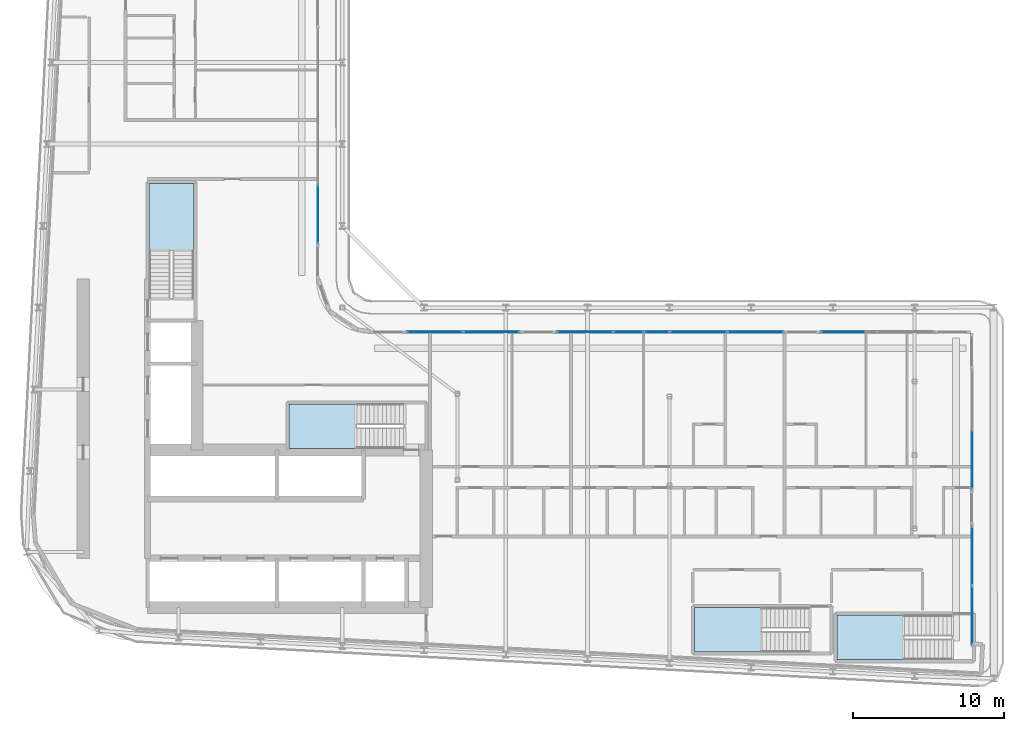
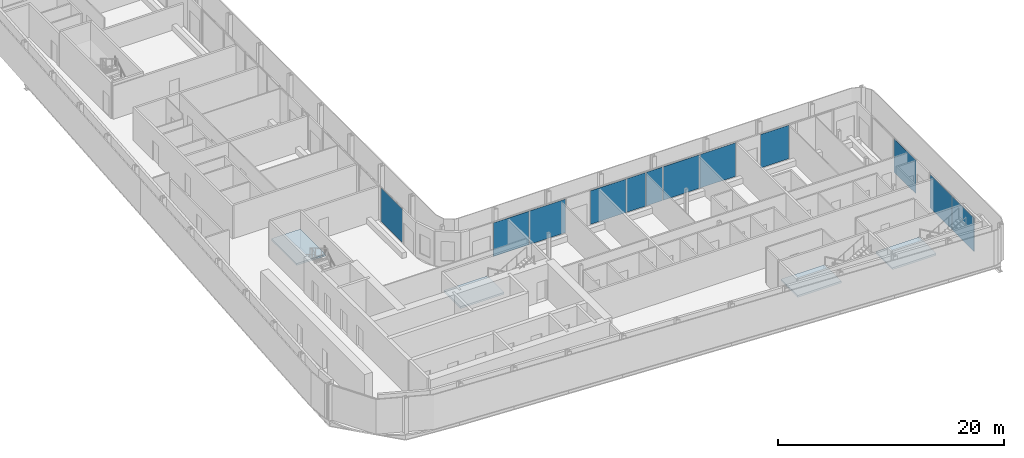
# One storey, part 9 of 26: 12 plates, 4 slabs, 11 elements without a shape of their own.
"""IFC4 building model written with IfcOpenShell, lengths in metres."""

from ifc_helpers import new_model, si_unit, direction, frame, origin, origin_2d, place, context, subcontext, project, spatial, polyline, rectangle, outline, extrude, material, layer, layer_set, type_object, element, aggregate, save


model = new_model("IFC4")

# Units and contexts
model_context = context("Model", 3, precision=1e-05, world=origin(), true_north=direction((0.0, 1.0)))
body_context = subcontext(model_context, "Body", "Model", "MODEL_VIEW")
ifc_project = project(units=[si_unit("LENGTHUNIT", "METRE"), si_unit("AREAUNIT", "SQUARE_METRE"), si_unit("VOLUMEUNIT", "CUBIC_METRE"), si_unit("PLANEANGLEUNIT", "RADIAN"), si_unit("MASSUNIT", "GRAM", prefix="KILO")], contexts=[model_context])

# Site, building, storey
site_placement = place(None, origin())
site = spatial("IfcSite", under=ifc_project, at=site_placement, CompositionType="ELEMENT")
building_placement = place(site_placement, origin())
building = spatial("IfcBuilding", under=site, at=building_placement, Name="Kheshtan School and Residences Tower", CompositionType="ELEMENT")
storey_placement = place(building_placement, frame((0.0, 0.0, 156.5)))
storey = spatial("IfcBuildingStorey", under=building, at=storey_placement, Name="L36", CompositionType="ELEMENT", Elevation=156.5)

# Curtain wall, plate
ifc_material_1 = material(Name="Clear low-e glass in thermally broken aluminium frame", Category="aluminium")
ifc_layer_1 = layer(ifc_material_1, 0.199951171875)
ifc_layer_set_1 = layer_set([ifc_layer_1], Name="Curtain wall CW-L")
curtain_wall_type = type_object("IfcCurtainWallType", Name="Curtain wall CW-L", PredefinedType="NOTDEFINED", material=ifc_layer_set_1)
curtain_wall_1_placement = place(storey_placement, origin())
curtain_wall_1 = element("IfcCurtainWall", 1, at=curtain_wall_1_placement, inside=storey, type_object=curtain_wall_type, Name="Curtain wall CWL8", PredefinedType="NOTDEFINED")
ifc_layer_2 = layer(ifc_material_1, 0.031982421875)
ifc_layer_set_2 = layer_set([ifc_layer_2], Name="CW-L glass panel")
plate_type = type_object("IfcPlateType", Name="CW-L glass panel", PredefinedType="CURTAIN_PANEL", material=ifc_layer_set_2)
plate_1_placement = place(storey_placement, frame((46.0, 51.7685546875, 0.0), z_axis=(0.0, 0.0, 1.0), x_axis=(0.0, -1.0, 0.0)))
plate_1 = element("IfcPlate", 2, at=plate_1_placement, type_object=plate_type, Name="CWL8 panel 2.1", PredefinedType="CURTAIN_PANEL", context=body_context, shape_type="SweptSolid", body=[
    extrude(rectangle(XDim=3.757080078125, YDim=0.031982421875, at=origin_2d()), origin(), (0.0, 0.0, 1.0), 3.6298828125),
])
aggregate(curtain_wall_1, [plate_1])

# Curtain wall, plates
curtain_wall_2_placement = place(storey_placement, origin())
curtain_wall_2 = element("IfcCurtainWall", 3, at=curtain_wall_2_placement, inside=storey, type_object=curtain_wall_type, Name="Curtain wall CWL12a", PredefinedType="NOTDEFINED")
plate_2_placement = place(storey_placement, frame((53.724365234375, 44.0, 0.0), z_axis=(0.0, 0.0, 1.0), x_axis=(1.0, 0.0, 0.0)))
plate_2 = element("IfcPlate", 4, at=plate_2_placement, type_object=plate_type, Name="CWL12a panel 1.1", PredefinedType="CURTAIN_PANEL", context=body_context, shape_type="SweptSolid", body=[
    extrude(rectangle(XDim=3.668701171875, YDim=0.031982421875, at=origin_2d()), origin(), (0.0, 0.0, 1.0), 3.6298828125),
])
plate_3_placement = place(storey_placement, frame((57.453125, 44.0, 0.0), z_axis=(0.0, 0.0, 1.0), x_axis=(1.0, 0.0, 0.0)))
plate_3 = element("IfcPlate", 5, at=plate_3_placement, type_object=plate_type, Name="CWL12a panel 2.1", PredefinedType="CURTAIN_PANEL", context=body_context, shape_type="SweptSolid", body=[
    extrude(rectangle(XDim=3.668701171875, YDim=0.031982421875, at=origin_2d()), origin(), (0.0, 0.0, 1.0), 3.6298828125),
])
aggregate(curtain_wall_2, [plate_2, plate_3])

curtain_wall_3_placement = place(storey_placement, origin())
curtain_wall_3 = element("IfcCurtainWall", 6, at=curtain_wall_3_placement, inside=storey, type_object=curtain_wall_type, Name="Curtain wall CWL12", PredefinedType="NOTDEFINED")
plate_4_placement = place(storey_placement, frame((63.641845703125, 44.0, 0.0), z_axis=(0.0, 0.0, 1.0), x_axis=(1.0, 0.0, 0.0)))
plate_4 = element("IfcPlate", 7, at=plate_4_placement, type_object=plate_type, Name="CWL12 panel 1.1", PredefinedType="CURTAIN_PANEL", context=body_context, shape_type="SweptSolid", body=[
    extrude(rectangle(XDim=3.668701171875, YDim=0.031982421875, at=origin_2d()), origin(), (0.0, 0.0, 1.0), 3.6298828125),
])
plate_5_placement = place(storey_placement, frame((66.503173828125, 44.0, 0.0), z_axis=(0.0, 0.0, 1.0), x_axis=(1.0, 0.0, 0.0)))
plate_5 = element("IfcPlate", 8, at=plate_5_placement, type_object=plate_type, Name="CWL12 panel 2.1", PredefinedType="CURTAIN_PANEL", context=body_context, shape_type="SweptSolid", body=[
    extrude(rectangle(XDim=1.933837890625, YDim=0.031982421875, at=origin_2d()), origin(), (0.0, 0.0, 1.0), 3.6298828125),
])
plate_6_placement = place(storey_placement, frame((68.367431640625, 44.0, 0.0), z_axis=(0.0, 0.0, 1.0), x_axis=(1.0, 0.0, 0.0)))
plate_6 = element("IfcPlate", 9, at=plate_6_placement, type_object=plate_type, Name="CWL12 panel 3.1", PredefinedType="CURTAIN_PANEL", context=body_context, shape_type="SweptSolid", body=[
    extrude(rectangle(XDim=1.675048828125, YDim=0.031982421875, at=origin_2d()), origin(), (0.0, 0.0, 1.0), 3.6298828125),
])
aggregate(curtain_wall_3, [plate_4, plate_5, plate_6])

curtain_wall_4_placement = place(storey_placement, origin())
curtain_wall_4 = element("IfcCurtainWall", 10, at=curtain_wall_4_placement, inside=storey, type_object=curtain_wall_type, Name="Curtain wall CWL12a", PredefinedType="NOTDEFINED")
plate_7_placement = place(storey_placement, frame((71.12939453125, 44.0, 0.0), z_axis=(0.0, 0.0, 1.0), x_axis=(1.0, 0.0, 0.0)))
plate_7 = element("IfcPlate", 11, at=plate_7_placement, type_object=plate_type, Name="CWL12a panel 1.1", PredefinedType="CURTAIN_PANEL", context=body_context, shape_type="SweptSolid", body=[
    extrude(rectangle(XDim=3.728759765625, YDim=0.031982421875, at=origin_2d()), origin(), (0.0, 0.0, 1.0), 3.6298828125),
])
plate_8_placement = place(storey_placement, frame((74.88818359375, 44.0, 0.0), z_axis=(0.0, 0.0, 1.0), x_axis=(1.0, 0.0, 0.0)))
plate_8 = element("IfcPlate", 12, at=plate_8_placement, type_object=plate_type, Name="CWL12a panel 2.1", PredefinedType="CURTAIN_PANEL", context=body_context, shape_type="SweptSolid", body=[
    extrude(rectangle(XDim=3.668701171875, YDim=0.031982421875, at=origin_2d()), origin(), (0.0, 0.0, 1.0), 3.6298828125),
])
aggregate(curtain_wall_4, [plate_7, plate_8])

# Curtain wall, plate
curtain_wall_5_placement = place(storey_placement, origin())
curtain_wall_5 = element("IfcCurtainWall", 13, at=curtain_wall_5_placement, inside=storey, type_object=curtain_wall_type, Name="Curtain wall CWL12", PredefinedType="NOTDEFINED")
plate_9_placement = place(storey_placement, frame((80.706298828125, 44.0, 0.0), z_axis=(0.0, 0.0, 1.0), x_axis=(1.0, 0.0, 0.0)))
plate_9 = element("IfcPlate", 14, at=plate_9_placement, type_object=plate_type, Name="CWL12 panel 1.1", PredefinedType="CURTAIN_PANEL", context=body_context, shape_type="SweptSolid", body=[
    extrude(rectangle(XDim=2.927490234375, YDim=0.031982421875, at=origin_2d()), origin(), (0.0, 0.0, 1.0), 3.6298828125),
])
aggregate(curtain_wall_5, [plate_9])

curtain_wall_6_placement = place(storey_placement, origin())
curtain_wall_6 = element("IfcCurtainWall", 15, at=curtain_wall_6_placement, inside=storey, type_object=curtain_wall_type, Name="Curtain wall CWL13", PredefinedType="NOTDEFINED")
plate_10_placement = place(storey_placement, frame((89.199951171875, 35.583740234375, 0.0), z_axis=(0.0, 0.0, 1.0), x_axis=(0.0, -1.0, 0.0)))
plate_10 = element("IfcPlate", 16, at=plate_10_placement, type_object=plate_type, Name="CWL13 panel 2.1", PredefinedType="CURTAIN_PANEL", context=body_context, shape_type="SweptSolid", body=[
    extrude(rectangle(XDim=3.8642578125, YDim=0.031982421875, at=origin_2d()), origin(), (0.0, 0.0, 1.0), 3.6298828125),
])
aggregate(curtain_wall_6, [plate_10])

# Curtain wall, plates
curtain_wall_7_placement = place(storey_placement, origin())
curtain_wall_7 = element("IfcCurtainWall", 17, at=curtain_wall_7_placement, inside=storey, type_object=curtain_wall_type, Name="Curtain wall CWL13", PredefinedType="NOTDEFINED")
plate_11_placement = place(storey_placement, frame((89.199951171875, 29.199462890625, 0.0), z_axis=(0.0, 0.0, 1.0), x_axis=(0.0, -1.0, 0.0)))
plate_11 = element("IfcPlate", 18, at=plate_11_placement, type_object=plate_type, Name="CWL13 panel 1.1", PredefinedType="CURTAIN_PANEL", context=body_context, shape_type="SweptSolid", body=[
    extrude(rectangle(XDim=3.8642578125, YDim=0.031982421875, at=origin_2d()), origin(), (0.0, 0.0, 1.0), 3.6298828125),
])
plate_12_placement = place(storey_placement, frame((89.199951171875, 25.275146484375, 0.0), z_axis=(0.0, 0.0, 1.0), x_axis=(0.0, -1.0, 0.0)))
plate_12 = element("IfcPlate", 19, at=plate_12_placement, type_object=plate_type, Name="CWL13 panel 2.1", PredefinedType="CURTAIN_PANEL", context=body_context, shape_type="SweptSolid", body=[
    extrude(rectangle(XDim=3.8642578125, YDim=0.031982421875, at=origin_2d()), origin(), (0.0, 0.0, 1.0), 3.6298828125),
])
aggregate(curtain_wall_7, [plate_11, plate_12])

# Stair, slab
ifc_material_2 = material(Name="Concrete C40/50", Category="concrete")
stair_type = type_object("IfcStairType", Name="Exit stair, half-turn", PredefinedType="HALF_TURN_STAIR", material=ifc_material_2)
stair_1_placement = place(storey_placement, origin())
stair_1 = element("IfcStair", 20, at=stair_1_placement, inside=storey, type_object=stair_type, Name="L36 Protected Exit Stair ST1", PredefinedType="HALF_TURN_STAIR")
ifc_layer_3 = layer(ifc_material_2, 0.199951171875)
ifc_layer_set_3 = layer_set([ifc_layer_3], Name="Stair landing 200 Concrete C40/50")
slab_type = type_object("IfcSlabType", Name="Stair landing 200 Concrete C40/50", PredefinedType="LANDING", material=ifc_layer_set_3)
slab_1_placement = place(storey_placement, frame((0.0, 0.0, 1.75)))
slab_1 = element("IfcSlab", 21, at=slab_1_placement, type_object=slab_type, Name="ST1 landing 1", PredefinedType="LANDING", context=body_context, shape_type="SweptSolid", body=[
    extrude(outline(polyline([(48.570068359375, 39.25), (44.090087890625, 39.25), (44.090087890625, 36.300048828125), (48.570068359375, 36.300048828125), (48.570068359375, 39.25)])), origin(), (0.0, 0.0, 1.0), 0.199951171875),
])
aggregate(stair_1, [slab_1])

stair_2_placement = place(storey_placement, origin())
stair_2 = element("IfcStair", 22, at=stair_2_placement, inside=storey, type_object=stair_type, Name="L36 Protected Exit Stair ST2", PredefinedType="HALF_TURN_STAIR")
slab_2_placement = place(storey_placement, frame((0.0, 0.0, 1.75)))
slab_2 = element("IfcSlab", 23, at=slab_2_placement, type_object=slab_type, Name="ST2 landing 1", PredefinedType="LANDING", context=body_context, shape_type="SweptSolid", body=[
    extrude(outline(polyline([(37.800048828125, 49.330078125), (37.800048828125, 53.81005859375), (34.85009765625, 53.81005859375), (34.85009765625, 49.330078125), (37.800048828125, 49.330078125)])), origin(), (0.0, 0.0, 1.0), 0.199951171875),
])
aggregate(stair_2, [slab_2])

stair_3_placement = place(storey_placement, origin())
stair_3 = element("IfcStair", 24, at=stair_3_placement, inside=storey, type_object=stair_type, Name="L36 Protected Exit Stair ST4", PredefinedType="HALF_TURN_STAIR")
slab_3_placement = place(storey_placement, frame((0.0, 0.0, 1.75)))
slab_3 = element("IfcSlab", 25, at=slab_3_placement, type_object=slab_type, Name="ST4 landing 1", PredefinedType="LANDING", context=body_context, shape_type="SweptSolid", body=[
    extrude(outline(polyline([(84.739990234375, 25.300048828125), (80.260009765625, 25.300048828125), (80.260009765625, 22.35009765625), (84.739990234375, 22.35009765625), (84.739990234375, 25.300048828125)])), origin(), (0.0, 0.0, 1.0), 0.199951171875),
])
aggregate(stair_3, [slab_3])

stair_4_placement = place(storey_placement, origin())
stair_4 = element("IfcStair", 26, at=stair_4_placement, inside=storey, type_object=stair_type, Name="L36 Protected Exit Stair ST5", PredefinedType="HALF_TURN_STAIR")
slab_4_placement = place(storey_placement, frame((0.0, 0.0, 1.75)))
slab_4 = element("IfcSlab", 27, at=slab_4_placement, type_object=slab_type, Name="ST5 landing 1", PredefinedType="LANDING", context=body_context, shape_type="SweptSolid", body=[
    extrude(outline(polyline([(75.330078125, 25.800048828125), (70.85009765625, 25.800048828125), (70.85009765625, 22.85009765625), (75.330078125, 22.85009765625), (75.330078125, 25.800048828125)])), origin(), (0.0, 0.0, 1.0), 0.199951171875),
])
aggregate(stair_4, [slab_4])

save(model, "model.ifc")
